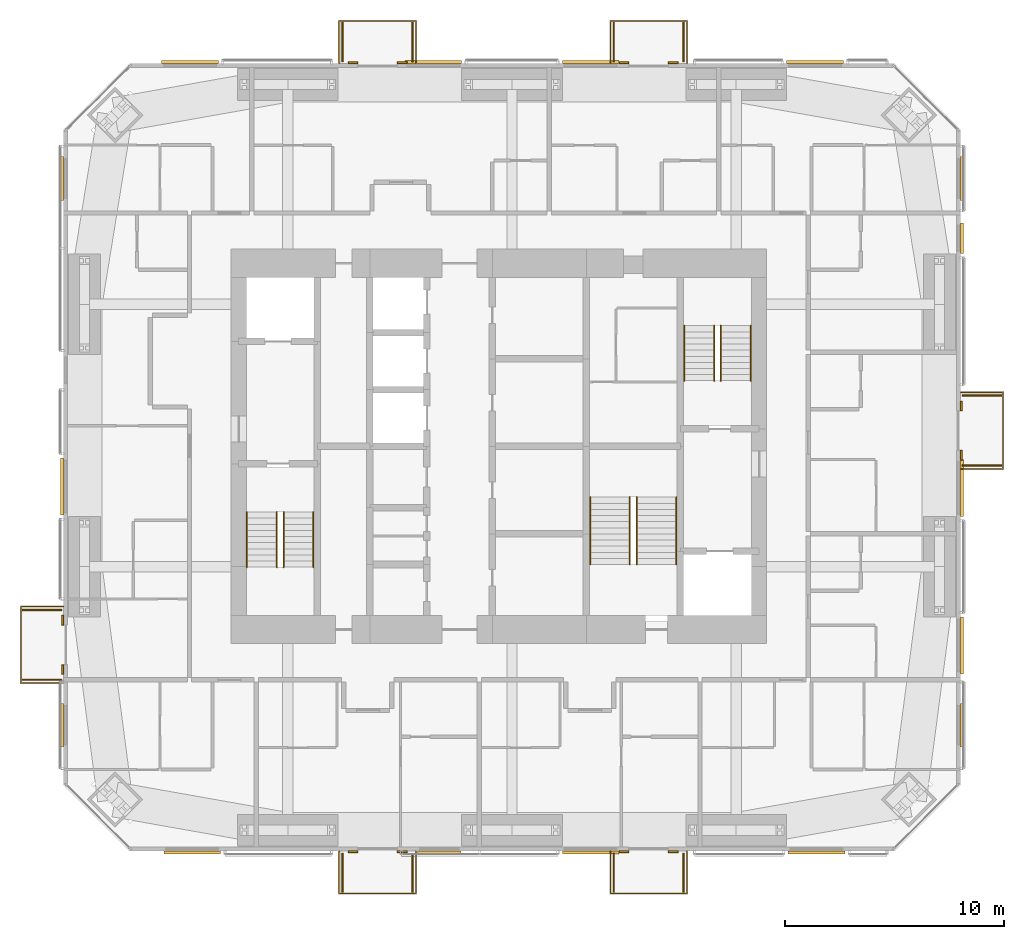
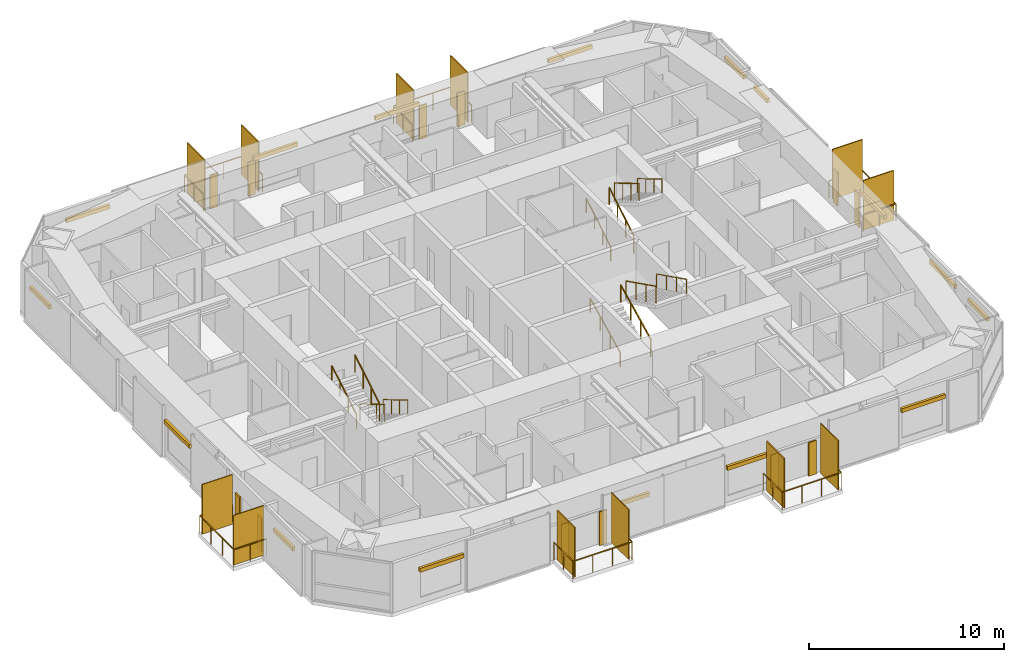
# One storey, part 23 of 23: 40 shading devices, 18 railings.
"""IFC4 building model written with IfcOpenShell, lengths in metres."""

from ifc_helpers import new_model, si_unit, direction, frame, origin, origin_2d, place, context, subcontext, project, spatial, rectangle, circle, extrude, material, layer, layer_set, constituent, constituent_set, type_object, element, save


model = new_model("IFC4")

# Units and contexts
model_context = context("Model", 3, precision=1e-05, world=origin(), true_north=direction((0.0, 1.0)))
body_context = subcontext(model_context, "Body", "Model", "MODEL_VIEW")
ifc_project = project(units=[si_unit("LENGTHUNIT", "METRE"), si_unit("AREAUNIT", "SQUARE_METRE"), si_unit("VOLUMEUNIT", "CUBIC_METRE"), si_unit("PLANEANGLEUNIT", "RADIAN"), si_unit("MASSUNIT", "GRAM", prefix="KILO")], contexts=[model_context])

# Site, building, storey
site_placement = place(None, origin())
site = spatial("IfcSite", under=ifc_project, at=site_placement, CompositionType="ELEMENT")
building_placement = place(site_placement, origin())
building = spatial("IfcBuilding", under=site, at=building_placement, Name="Jalousie Tower", CompositionType="ELEMENT")
storey_placement = place(building_placement, frame((0.0, 0.0, 157.699951171875)))
storey = spatial("IfcBuildingStorey", under=building, at=storey_placement, Name="L42", CompositionType="ELEMENT", Elevation=157.699951171875)

# Shading devices
ifc_material_1 = material(Name="Aluminium impact-rated louvred storm shutter", Category="aluminium")
shading_device_type_1 = type_object("IfcShadingDeviceType", Name="BI-FOLD STORM SHUTTER 900x2100", PredefinedType="SHUTTER", material=ifc_material_1)
for number, where, z_axis, x_axis, name in (
    (1, (25.22509765625, -0.0400390625, 0.0), (0.0, 0.0, 1.0), (1.0, 0.0, 0.0), "Balcony storm shutter L42"),
    (2, (27.47509765625, -0.0400390625, 0.0), (0.0, 0.0, 1.0), (1.0, 0.0, 0.0), "Balcony storm shutter L42"),
    (3, (37.625, -0.0400390625, 0.0), (0.0, 0.0, 1.0), (1.0, 0.0, 0.0), "Balcony storm shutter L42"),
    (4, (39.875, -0.0400390625, 0.0), (0.0, 0.0, 1.0), (1.0, 0.0, 0.0), "Balcony storm shutter L42"),
    (5, (53.0400390625, 18.10009765625, 0.0), (0.0, 0.0, 1.0), (0.0, 1.0, 0.0), "Balcony storm shutter L42"),
    (6, (53.0400390625, 20.35009765625, 0.0), (0.0, 0.0, 1.0), (0.0, 1.0, 0.0), "Balcony storm shutter L42"),
    (7, (39.875, 36.0400390625, 0.0), (0.0, 0.0, 1.0), (-1.0, 0.0, 0.0), "Balcony storm shutter L42"),
    (8, (37.625, 36.0400390625, 0.0), (0.0, 0.0, 1.0), (-1.0, 0.0, 0.0), "Balcony storm shutter L42"),
    (9, (27.47509765625, 36.0400390625, 0.0), (0.0, 0.0, 1.0), (-1.0, 0.0, 0.0), "Balcony storm shutter L42"),
    (10, (25.22509765625, 36.0400390625, 0.0), (0.0, 0.0, 1.0), (-1.0, 0.0, 0.0), "Balcony storm shutter L42"),
    (11, (11.9599609375, 10.550048828125, 0.0), (0.0, 0.0, 1.0), (0.0, -1.0, 0.0), "Balcony storm shutter L42"),
    (12, (11.9599609375, 8.300048828125, 0.0), (0.0, 0.0, 1.0), (0.0, -1.0, 0.0), "Balcony storm shutter L42"),
):
    element("IfcShadingDevice", number, at=place(storey_placement, frame(where, z_axis=z_axis, x_axis=x_axis)), inside=storey, type_object=shading_device_type_1, Name=name, PredefinedType="SHUTTER", context=body_context, shape_type="SweptSolid", body=[
        extrude(rectangle(XDim=0.449951171875, YDim=0.080078125, at=origin_2d()), origin(), (0.0, 0.0, 1.0), 2.10009765625),
    ])

# Railings
ifc_material_2 = material(Name="Powder-coated aluminium fretwork", Category="aluminium")
railing_type_1 = type_object("IfcRailingType", Name="FRETWORK BALUSTRADE 1100", PredefinedType="BALUSTRADE", material=ifc_material_2)
for number, where, name in (
    (13, (24.60009765625, 0.0, 0.0), "Balcony fretwork balustrade L42"),
    (14, (37.0, 0.0, 0.0), "Balcony fretwork balustrade L42"),
):
    element("IfcRailing", number, at=place(storey_placement, frame(where)), inside=storey, type_object=railing_type_1, Name=name, PredefinedType="BALUSTRADE", context=body_context, shape_type="SweptSolid", body=[
        extrude(rectangle(XDim=0.048095703125, YDim=0.048095703125, at=origin_2d()), frame((0.0, 0.0, 1.076171875), z_axis=(0.0, -1.0, 0.0), x_axis=(1.0, 0.0, 0.0)), (0.0, 0.0, 1.0), 1.949951171875),
        extrude(rectangle(XDim=0.048095703125, YDim=0.048095703125, at=origin_2d()), frame((0.0, -1.949951171875, 1.076171875), z_axis=(1.0, 0.0, 0.0), x_axis=(0.0, 1.0, 0.0)), (0.0, 0.0, 1.0), 3.5),
        extrude(rectangle(XDim=0.048095703125, YDim=0.048095703125, at=origin_2d()), frame((3.5, -1.949951171875, 1.076171875), z_axis=(0.0, 1.0, 0.0), x_axis=(-1.0, 0.0, 0.0)), (0.0, 0.0, 1.0), 1.949951171875),
        extrude(circle(Radius=0.02099609375, at=origin_2d()), origin(), (0.0, 0.0, 1.0), 1.052001953125),
        extrude(circle(Radius=0.02099609375, at=origin_2d()), frame((0.0, -0.97509765625, 0.0)), (0.0, 0.0, 1.0), 1.052001953125),
        extrude(circle(Radius=0.02099609375, at=origin_2d()), frame((0.0, -1.949951171875, 0.0)), (0.0, 0.0, 1.0), 1.052001953125),
        extrude(circle(Radius=0.02099609375, at=origin_2d()), frame((1.166748046875, -1.949951171875, 0.0)), (0.0, 0.0, 1.0), 1.052001953125),
        extrude(circle(Radius=0.02099609375, at=origin_2d()), frame((2.333251953125, -1.949951171875, 0.0)), (0.0, 0.0, 1.0), 1.052001953125),
        extrude(circle(Radius=0.02099609375, at=origin_2d()), frame((3.5, -1.949951171875, 0.0)), (0.0, 0.0, 1.0), 1.052001953125),
        extrude(circle(Radius=0.02099609375, at=origin_2d()), frame((3.5, -0.97509765625, 0.0)), (0.0, 0.0, 1.0), 1.052001953125),
        extrude(circle(Radius=0.02099609375, at=origin_2d()), frame((3.5, 0.0, 0.0)), (0.0, 0.0, 1.0), 1.052001953125),
    ])
railing_1_placement = place(storey_placement, frame((53.0, 17.47509765625, 0.0)))
element("IfcRailing", 15, at=railing_1_placement, inside=storey, type_object=railing_type_1, Name="Balcony fretwork balustrade L42", PredefinedType="BALUSTRADE", context=body_context, shape_type="SweptSolid", body=[
    extrude(rectangle(XDim=0.048095703125, YDim=0.048095703125, at=origin_2d()), frame((0.0, 0.0, 1.076171875), z_axis=(1.0, 0.0, 0.0), x_axis=(0.0, 1.0, 0.0)), (0.0, 0.0, 1.0), 1.949951171875),
    extrude(rectangle(XDim=0.048095703125, YDim=0.048095703125, at=origin_2d()), frame((1.949951171875, 0.0, 1.076171875), z_axis=(0.0, 1.0, 0.0), x_axis=(-1.0, 0.0, 0.0)), (0.0, 0.0, 1.0), 3.5),
    extrude(rectangle(XDim=0.048095703125, YDim=0.048095703125, at=origin_2d()), frame((1.949951171875, 3.5, 1.076171875), z_axis=(-1.0, 0.0, 0.0), x_axis=(0.0, -1.0, 0.0)), (0.0, 0.0, 1.0), 1.949951171875),
    extrude(circle(Radius=0.02099609375, at=origin_2d()), origin(), (0.0, 0.0, 1.0), 1.052001953125),
    extrude(circle(Radius=0.02099609375, at=origin_2d()), frame((0.97509765625, 0.0, 0.0)), (0.0, 0.0, 1.0), 1.052001953125),
    extrude(circle(Radius=0.02099609375, at=origin_2d()), frame((1.949951171875, 0.0, 0.0)), (0.0, 0.0, 1.0), 1.052001953125),
    extrude(circle(Radius=0.02099609375, at=origin_2d()), frame((1.949951171875, 1.166748046875, 0.0)), (0.0, 0.0, 1.0), 1.052001953125),
    extrude(circle(Radius=0.02099609375, at=origin_2d()), frame((1.949951171875, 2.333251953125, 0.0)), (0.0, 0.0, 1.0), 1.052001953125),
    extrude(circle(Radius=0.02099609375, at=origin_2d()), frame((1.949951171875, 3.5, 0.0)), (0.0, 0.0, 1.0), 1.052001953125),
    extrude(circle(Radius=0.02099609375, at=origin_2d()), frame((0.97509765625, 3.5, 0.0)), (0.0, 0.0, 1.0), 1.052001953125),
    extrude(circle(Radius=0.02099609375, at=origin_2d()), frame((0.0, 3.5, 0.0)), (0.0, 0.0, 1.0), 1.052001953125),
])
for number, where, name in (
    (16, (40.5, 36.0, 0.0), "Balcony fretwork balustrade L42"),
    (17, (28.10009765625, 36.0, 0.0), "Balcony fretwork balustrade L42"),
):
    element("IfcRailing", number, at=place(storey_placement, frame(where)), inside=storey, type_object=railing_type_1, Name=name, PredefinedType="BALUSTRADE", context=body_context, shape_type="SweptSolid", body=[
        extrude(rectangle(XDim=0.048095703125, YDim=0.048095703125, at=origin_2d()), frame((0.0, 0.0, 1.076171875), z_axis=(0.0, 1.0, 0.0), x_axis=(-1.0, 0.0, 0.0)), (0.0, 0.0, 1.0), 1.949951171875),
        extrude(rectangle(XDim=0.048095703125, YDim=0.048095703125, at=origin_2d()), frame((0.0, 1.949951171875, 1.076171875), z_axis=(-1.0, 0.0, 0.0), x_axis=(0.0, -1.0, 0.0)), (0.0, 0.0, 1.0), 3.5),
        extrude(rectangle(XDim=0.048095703125, YDim=0.048095703125, at=origin_2d()), frame((-3.5, 1.949951171875, 1.076171875), z_axis=(0.0, -1.0, 0.0), x_axis=(1.0, 0.0, 0.0)), (0.0, 0.0, 1.0), 1.949951171875),
        extrude(circle(Radius=0.02099609375, at=origin_2d()), origin(), (0.0, 0.0, 1.0), 1.052001953125),
        extrude(circle(Radius=0.02099609375, at=origin_2d()), frame((0.0, 0.97509765625, 0.0)), (0.0, 0.0, 1.0), 1.052001953125),
        extrude(circle(Radius=0.02099609375, at=origin_2d()), frame((0.0, 1.949951171875, 0.0)), (0.0, 0.0, 1.0), 1.052001953125),
        extrude(circle(Radius=0.02099609375, at=origin_2d()), frame((-1.166748046875, 1.949951171875, 0.0)), (0.0, 0.0, 1.0), 1.052001953125),
        extrude(circle(Radius=0.02099609375, at=origin_2d()), frame((-2.333251953125, 1.949951171875, 0.0)), (0.0, 0.0, 1.0), 1.052001953125),
        extrude(circle(Radius=0.02099609375, at=origin_2d()), frame((-3.5, 1.949951171875, 0.0)), (0.0, 0.0, 1.0), 1.052001953125),
        extrude(circle(Radius=0.02099609375, at=origin_2d()), frame((-3.5, 0.97509765625, 0.0)), (0.0, 0.0, 1.0), 1.052001953125),
        extrude(circle(Radius=0.02099609375, at=origin_2d()), frame((-3.5, 0.0, 0.0)), (0.0, 0.0, 1.0), 1.052001953125),
    ])
railing_2_placement = place(storey_placement, frame((12.0, 11.175048828125, 0.0)))
element("IfcRailing", 18, at=railing_2_placement, inside=storey, type_object=railing_type_1, Name="Balcony fretwork balustrade L42", PredefinedType="BALUSTRADE", context=body_context, shape_type="SweptSolid", body=[
    extrude(rectangle(XDim=0.048095703125, YDim=0.048095703125, at=origin_2d()), frame((0.0, 0.0, 1.076171875), z_axis=(-1.0, 0.0, 0.0), x_axis=(0.0, -1.0, 0.0)), (0.0, 0.0, 1.0), 1.949951171875),
    extrude(rectangle(XDim=0.048095703125, YDim=0.048095703125, at=origin_2d()), frame((-1.949951171875, 0.0, 1.076171875), z_axis=(0.0, -1.0, 0.0), x_axis=(1.0, 0.0, 0.0)), (0.0, 0.0, 1.0), 3.5),
    extrude(rectangle(XDim=0.048095703125, YDim=0.048095703125, at=origin_2d()), frame((-1.949951171875, -3.5, 1.076171875), z_axis=(1.0, 0.0, 0.0), x_axis=(0.0, 1.0, 0.0)), (0.0, 0.0, 1.0), 1.949951171875),
    extrude(circle(Radius=0.02099609375, at=origin_2d()), origin(), (0.0, 0.0, 1.0), 1.052001953125),
    extrude(circle(Radius=0.02099609375, at=origin_2d()), frame((-0.97509765625, 0.0, 0.0)), (0.0, 0.0, 1.0), 1.052001953125),
    extrude(circle(Radius=0.02099609375, at=origin_2d()), frame((-1.949951171875, 0.0, 0.0)), (0.0, 0.0, 1.0), 1.052001953125),
    extrude(circle(Radius=0.02099609375, at=origin_2d()), frame((-1.949951171875, -1.166748046875, 0.0)), (0.0, 0.0, 1.0), 1.052001953125),
    extrude(circle(Radius=0.02099609375, at=origin_2d()), frame((-1.949951171875, -2.333251953125, 0.0)), (0.0, 0.0, 1.0), 1.052001953125),
    extrude(circle(Radius=0.02099609375, at=origin_2d()), frame((-1.949951171875, -3.5, 0.0)), (0.0, 0.0, 1.0), 1.052001953125),
    extrude(circle(Radius=0.02099609375, at=origin_2d()), frame((-0.97509765625, -3.5, 0.0)), (0.0, 0.0, 1.0), 1.052001953125),
    extrude(circle(Radius=0.02099609375, at=origin_2d()), frame((0.0, -3.5, 0.0)), (0.0, 0.0, 1.0), 1.052001953125),
])

# Shading devices
ifc_material_3 = material(Name="Powder-coated aluminium louvres", Category="aluminium")
ifc_layer = layer(ifc_material_3, 0.06005859375)
ifc_layer_set = layer_set([ifc_layer], Name="Powder-coated aluminium louvres")
shading_device_type_2 = type_object("IfcShadingDeviceType", Name="JALOUSIE LOUVRE SCREEN", PredefinedType="JALOUSIE", material=ifc_layer_set)
for number, where, z_axis, x_axis, name in (
    (19, (24.75, -1.0, 0.0), (0.0, 0.0, 1.0), (1.0, 0.0, 0.0), "Jalousie louvre screen L42"),
    (20, (27.949951171875, -1.0, 0.0), (0.0, 0.0, 1.0), (1.0, 0.0, 0.0), "Jalousie louvre screen L42"),
    (21, (37.14990234375, -1.0, 0.0), (0.0, 0.0, 1.0), (1.0, 0.0, 0.0), "Jalousie louvre screen L42"),
    (22, (40.35009765625, -1.0, 0.0), (0.0, 0.0, 1.0), (1.0, 0.0, 0.0), "Jalousie louvre screen L42"),
    (23, (54.0, 17.625, 0.0), (0.0, 0.0, 1.0), (0.0, 1.0, 0.0), "Jalousie louvre screen L42"),
    (24, (54.0, 20.824951171875, 0.0), (0.0, 0.0, 1.0), (0.0, 1.0, 0.0), "Jalousie louvre screen L42"),
    (25, (40.35009765625, 37.0, 0.0), (0.0, 0.0, 1.0), (-1.0, 0.0, 0.0), "Jalousie louvre screen L42"),
    (26, (37.14990234375, 37.0, 0.0), (0.0, 0.0, 1.0), (-1.0, 0.0, 0.0), "Jalousie louvre screen L42"),
    (27, (27.949951171875, 37.0, 0.0), (0.0, 0.0, 1.0), (-1.0, 0.0, 0.0), "Jalousie louvre screen L42"),
    (28, (24.75, 37.0, 0.0), (0.0, 0.0, 1.0), (-1.0, 0.0, 0.0), "Jalousie louvre screen L42"),
    (29, (11.0, 11.02490234375, 0.0), (0.0, 0.0, 1.0), (0.0, -1.0, 0.0), "Jalousie louvre screen L42"),
    (30, (11.0, 7.824951171875, 0.0), (0.0, 0.0, 1.0), (0.0, -1.0, 0.0), "Jalousie louvre screen L42"),
):
    element("IfcShadingDevice", number, at=place(storey_placement, frame(where, z_axis=z_axis, x_axis=x_axis)), inside=storey, type_object=shading_device_type_2, Name=name, PredefinedType="JALOUSIE", context=body_context, shape_type="SweptSolid", body=[
        extrude(rectangle(XDim=0.06005859375, YDim=1.800048828125, at=origin_2d()), origin(), (0.0, 0.0, 1.0), 3.110107421875),
    ])

# Railings
ifc_material_4 = material(Name="Steel ASTM A500 Grade C", Category="steel")
ifc_constituent_1 = constituent(ifc_material_4, Name="Body")
ifc_material_5 = material(Name="Hot-dip galvanised zinc coating")
ifc_constituent_2 = constituent(ifc_material_5, Name="Finish")
ifc_constituent_set_1 = constituent_set(constituents=[ifc_constituent_1, ifc_constituent_2])
railing_type_2 = type_object("IfcRailingType", Name="STAIR GUARD 1100", PredefinedType="GUARDRAIL", material=ifc_constituent_set_1)
railing_3_placement = place(storey_placement, frame((22.054931640625, 15.49755859375, 0.16748046875)))
element("IfcRailing", 31, at=railing_3_placement, inside=storey, type_object=railing_type_2, Name="Exit stair A guard L42 flight 1", PredefinedType="GUARDRAIL", context=body_context, shape_type="SweptSolid", body=[
    extrude(rectangle(XDim=0.048095703125, YDim=0.048095703125, at=origin_2d()), frame((0.0, 0.0, 1.076171875), z_axis=(0.0, -0.858159760407, 0.513382728203), x_axis=(1.0, 0.0, 0.0)), (0.0, 0.0, 1.0), 2.9365234375),
    extrude(circle(Radius=0.02099609375, at=origin_2d()), origin(), (0.0, 0.0, 1.0), 1.052001953125),
    extrude(circle(Radius=0.02099609375, at=origin_2d()), frame((0.0, -0.840087890625, 0.50244140625)), (0.0, 0.0, 1.0), 1.052001953125),
    extrude(circle(Radius=0.02099609375, at=origin_2d()), frame((0.0, -1.679931640625, 1.005126953125)), (0.0, 0.0, 1.0), 1.052001953125),
    extrude(circle(Radius=0.02099609375, at=origin_2d()), frame((0.0, -2.52001953125, 1.507568359375)), (0.0, 0.0, 1.0), 1.052001953125),
])
for number, where, name in (
    (32, (21.7451171875, 12.9775390625, 1.842529296875), "Exit stair A guard L42 flight 2"),
    (33, (41.7451171875, 21.50244140625, 0.16748046875), "Exit stair B guard L42 flight 1"),
):
    element("IfcRailing", number, at=place(storey_placement, frame(where)), inside=storey, type_object=railing_type_2, Name=name, PredefinedType="GUARDRAIL", context=body_context, shape_type="SweptSolid", body=[
        extrude(rectangle(XDim=0.048095703125, YDim=0.048095703125, at=origin_2d()), frame((0.0, 0.0, 1.076171875), z_axis=(0.0, 0.858159760407, 0.513382728203), x_axis=(-1.0, 0.0, 0.0)), (0.0, 0.0, 1.0), 2.9365234375),
        extrude(circle(Radius=0.02099609375, at=origin_2d()), origin(), (0.0, 0.0, 1.0), 1.052001953125),
        extrude(circle(Radius=0.02099609375, at=origin_2d()), frame((0.0, 0.840087890625, 0.50244140625)), (0.0, 0.0, 1.0), 1.052001953125),
        extrude(circle(Radius=0.02099609375, at=origin_2d()), frame((0.0, 1.679931640625, 1.005126953125)), (0.0, 0.0, 1.0), 1.052001953125),
        extrude(circle(Radius=0.02099609375, at=origin_2d()), frame((0.0, 2.52001953125, 1.507568359375)), (0.0, 0.0, 1.0), 1.052001953125),
    ])
railing_4_placement = place(storey_placement, frame((42.054931640625, 24.0224609375, 1.842529296875)))
element("IfcRailing", 34, at=railing_4_placement, inside=storey, type_object=railing_type_2, Name="Exit stair B guard L42 flight 2", PredefinedType="GUARDRAIL", context=body_context, shape_type="SweptSolid", body=[
    extrude(rectangle(XDim=0.048095703125, YDim=0.048095703125, at=origin_2d()), frame((0.0, 0.0, 1.076171875), z_axis=(0.0, -0.858159760407, 0.513382728203), x_axis=(1.0, 0.0, 0.0)), (0.0, 0.0, 1.0), 2.9365234375),
    extrude(circle(Radius=0.02099609375, at=origin_2d()), origin(), (0.0, 0.0, 1.0), 1.052001953125),
    extrude(circle(Radius=0.02099609375, at=origin_2d()), frame((0.0, -0.840087890625, 0.50244140625)), (0.0, 0.0, 1.0), 1.052001953125),
    extrude(circle(Radius=0.02099609375, at=origin_2d()), frame((0.0, -1.679931640625, 1.005126953125)), (0.0, 0.0, 1.0), 1.052001953125),
    extrude(circle(Radius=0.02099609375, at=origin_2d()), frame((0.0, -2.52001953125, 1.507568359375)), (0.0, 0.0, 1.0), 1.052001953125),
])
railing_5_placement = place(storey_placement, frame((37.89501953125, 13.097412109375, 0.1396484375)))
element("IfcRailing", 35, at=railing_5_placement, inside=storey, type_object=railing_type_2, Name="Exit stair C guard L42 flight 1", PredefinedType="GUARDRAIL", context=body_context, shape_type="SweptSolid", body=[
    extrude(rectangle(XDim=0.048095703125, YDim=0.048095703125, at=origin_2d()), frame((0.0, 0.0, 1.076171875), z_axis=(0.0, 0.894965676997, 0.446134998624), x_axis=(-1.0, 0.0, 0.0)), (0.0, 0.0, 1.0), 3.441650390625),
    extrude(circle(Radius=0.02099609375, at=origin_2d()), origin(), (0.0, 0.0, 1.0), 1.052001953125),
    extrude(circle(Radius=0.02099609375, at=origin_2d()), frame((0.0, 1.026611328125, 0.51171875)), (0.0, 0.0, 1.0), 1.052001953125),
    extrude(circle(Radius=0.02099609375, at=origin_2d()), frame((0.0, 2.053466796875, 1.023681640625)), (0.0, 0.0, 1.0), 1.052001953125),
    extrude(circle(Radius=0.02099609375, at=origin_2d()), frame((0.0, 3.080078125, 1.535400390625)), (0.0, 0.0, 1.0), 1.052001953125),
])
railing_6_placement = place(storey_placement, frame((38.205078125, 16.177490234375, 1.814697265625)))
element("IfcRailing", 36, at=railing_6_placement, inside=storey, type_object=railing_type_2, Name="Exit stair C guard L42 flight 2", PredefinedType="GUARDRAIL", context=body_context, shape_type="SweptSolid", body=[
    extrude(rectangle(XDim=0.048095703125, YDim=0.048095703125, at=origin_2d()), frame((0.0, 0.0, 1.076171875), z_axis=(0.0, -0.894965676997, 0.446134998624), x_axis=(1.0, 0.0, 0.0)), (0.0, 0.0, 1.0), 3.441650390625),
    extrude(circle(Radius=0.02099609375, at=origin_2d()), origin(), (0.0, 0.0, 1.0), 1.052001953125),
    extrude(circle(Radius=0.02099609375, at=origin_2d()), frame((0.0, -1.026611328125, 0.51171875)), (0.0, 0.0, 1.0), 1.052001953125),
    extrude(circle(Radius=0.02099609375, at=origin_2d()), frame((0.0, -2.053466796875, 1.023681640625)), (0.0, 0.0, 1.0), 1.052001953125),
    extrude(circle(Radius=0.02099609375, at=origin_2d()), frame((0.0, -3.080078125, 1.535400390625)), (0.0, 0.0, 1.0), 1.052001953125),
])
ifc_material_6 = material(Name="Steel ASTM A500 Grade C", Category="steel")
ifc_constituent_3 = constituent(ifc_material_6, Name="Body")
ifc_material_7 = material(Name="Hot-dip galvanised zinc coating")
ifc_constituent_4 = constituent(ifc_material_7, Name="Finish")
ifc_constituent_set_2 = constituent_set(constituents=[ifc_constituent_3, ifc_constituent_4])
railing_type_3 = type_object("IfcRailingType", Name="STAIR HANDRAIL 900", PredefinedType="HANDRAIL", material=ifc_constituent_set_2)
railing_7_placement = place(storey_placement, frame((23.419921875, 15.49755859375, 0.16748046875)))
element("IfcRailing", 37, at=railing_7_placement, inside=storey, type_object=railing_type_3, Name="Exit stair A handrail L42 flight 1", PredefinedType="HANDRAIL", context=body_context, shape_type="SweptSolid", body=[
    extrude(circle(Radius=0.02392578125, at=origin_2d()), frame((0.0, 0.0, 0.8759765625), z_axis=(0.0, -0.858159760407, 0.513382728203), x_axis=(1.0, 0.0, 0.0)), (0.0, 0.0, 1.0), 2.9365234375),
    extrude(circle(Radius=0.02099609375, at=origin_2d()), origin(), (0.0, 0.0, 1.0), 0.851806640625),
    extrude(circle(Radius=0.02099609375, at=origin_2d()), frame((0.0, -0.840087890625, 0.50244140625)), (0.0, 0.0, 1.0), 0.851806640625),
    extrude(circle(Radius=0.02099609375, at=origin_2d()), frame((0.0, -1.679931640625, 1.005126953125)), (0.0, 0.0, 1.0), 0.851806640625),
    extrude(circle(Radius=0.02099609375, at=origin_2d()), frame((0.0, -2.52001953125, 1.507568359375)), (0.0, 0.0, 1.0), 0.851806640625),
])
for number, where, name in (
    (38, (20.3798828125, 12.9775390625, 1.842529296875), "Exit stair A handrail L42 flight 2"),
    (39, (40.3798828125, 21.50244140625, 0.16748046875), "Exit stair B handrail L42 flight 1"),
):
    element("IfcRailing", number, at=place(storey_placement, frame(where)), inside=storey, type_object=railing_type_3, Name=name, PredefinedType="HANDRAIL", context=body_context, shape_type="SweptSolid", body=[
        extrude(circle(Radius=0.02392578125, at=origin_2d()), frame((0.0, 0.0, 0.8759765625), z_axis=(0.0, 0.858159760407, 0.513382728203), x_axis=(-1.0, 0.0, 0.0)), (0.0, 0.0, 1.0), 2.9365234375),
        extrude(circle(Radius=0.02099609375, at=origin_2d()), origin(), (0.0, 0.0, 1.0), 0.851806640625),
        extrude(circle(Radius=0.02099609375, at=origin_2d()), frame((0.0, 0.840087890625, 0.50244140625)), (0.0, 0.0, 1.0), 0.851806640625),
        extrude(circle(Radius=0.02099609375, at=origin_2d()), frame((0.0, 1.679931640625, 1.005126953125)), (0.0, 0.0, 1.0), 0.851806640625),
        extrude(circle(Radius=0.02099609375, at=origin_2d()), frame((0.0, 2.52001953125, 1.507568359375)), (0.0, 0.0, 1.0), 0.851806640625),
    ])
railing_8_placement = place(storey_placement, frame((43.419921875, 24.0224609375, 1.842529296875)))
element("IfcRailing", 40, at=railing_8_placement, inside=storey, type_object=railing_type_3, Name="Exit stair B handrail L42 flight 2", PredefinedType="HANDRAIL", context=body_context, shape_type="SweptSolid", body=[
    extrude(circle(Radius=0.02392578125, at=origin_2d()), frame((0.0, 0.0, 0.8759765625), z_axis=(0.0, -0.858159760407, 0.513382728203), x_axis=(1.0, 0.0, 0.0)), (0.0, 0.0, 1.0), 2.9365234375),
    extrude(circle(Radius=0.02099609375, at=origin_2d()), origin(), (0.0, 0.0, 1.0), 0.851806640625),
    extrude(circle(Radius=0.02099609375, at=origin_2d()), frame((0.0, -0.840087890625, 0.50244140625)), (0.0, 0.0, 1.0), 0.851806640625),
    extrude(circle(Radius=0.02099609375, at=origin_2d()), frame((0.0, -1.679931640625, 1.005126953125)), (0.0, 0.0, 1.0), 0.851806640625),
    extrude(circle(Radius=0.02099609375, at=origin_2d()), frame((0.0, -2.52001953125, 1.507568359375)), (0.0, 0.0, 1.0), 0.851806640625),
])
railing_9_placement = place(storey_placement, frame((36.080078125, 13.097412109375, 0.1396484375)))
element("IfcRailing", 41, at=railing_9_placement, inside=storey, type_object=railing_type_3, Name="Exit stair C handrail L42 flight 1", PredefinedType="HANDRAIL", context=body_context, shape_type="SweptSolid", body=[
    extrude(circle(Radius=0.02392578125, at=origin_2d()), frame((0.0, 0.0, 0.8759765625), z_axis=(0.0, 0.894965676997, 0.446134998624), x_axis=(-1.0, 0.0, 0.0)), (0.0, 0.0, 1.0), 3.441650390625),
    extrude(circle(Radius=0.02099609375, at=origin_2d()), origin(), (0.0, 0.0, 1.0), 0.851806640625),
    extrude(circle(Radius=0.02099609375, at=origin_2d()), frame((0.0, 1.026611328125, 0.51171875)), (0.0, 0.0, 1.0), 0.851806640625),
    extrude(circle(Radius=0.02099609375, at=origin_2d()), frame((0.0, 2.053466796875, 1.023681640625)), (0.0, 0.0, 1.0), 0.851806640625),
    extrude(circle(Radius=0.02099609375, at=origin_2d()), frame((0.0, 3.080078125, 1.535400390625)), (0.0, 0.0, 1.0), 0.851806640625),
])
railing_10_placement = place(storey_placement, frame((40.02001953125, 16.177490234375, 1.814697265625)))
element("IfcRailing", 42, at=railing_10_placement, inside=storey, type_object=railing_type_3, Name="Exit stair C handrail L42 flight 2", PredefinedType="HANDRAIL", context=body_context, shape_type="SweptSolid", body=[
    extrude(circle(Radius=0.02392578125, at=origin_2d()), frame((0.0, 0.0, 0.8759765625), z_axis=(0.0, -0.894965676997, 0.446134998624), x_axis=(1.0, 0.0, 0.0)), (0.0, 0.0, 1.0), 3.441650390625),
    extrude(circle(Radius=0.02099609375, at=origin_2d()), origin(), (0.0, 0.0, 1.0), 0.851806640625),
    extrude(circle(Radius=0.02099609375, at=origin_2d()), frame((0.0, -1.026611328125, 0.51171875)), (0.0, 0.0, 1.0), 0.851806640625),
    extrude(circle(Radius=0.02099609375, at=origin_2d()), frame((0.0, -2.053466796875, 1.023681640625)), (0.0, 0.0, 1.0), 0.851806640625),
    extrude(circle(Radius=0.02099609375, at=origin_2d()), frame((0.0, -3.080078125, 1.535400390625)), (0.0, 0.0, 1.0), 0.851806640625),
])

# Shading devices
ifc_material_8 = material(Name="Aluminium roller storm shutter", Category="aluminium")
shading_device_type_3 = type_object("IfcShadingDeviceType", Name="STORM SHUTTER HOUSING", PredefinedType="SHUTTER", material=ifc_material_8)
shading_device_1_placement = place(storey_placement, frame((17.87548828125, -0.074951171875, 2.10009765625), z_axis=(0.0, 0.0, 1.0), x_axis=(1.0, 0.0, 0.0)))
element("IfcShadingDevice", 43, at=shading_device_1_placement, inside=storey, type_object=shading_device_type_3, Name="Storm shutter L42", PredefinedType="SHUTTER", context=body_context, shape_type="SweptSolid", body=[
    extrude(rectangle(XDim=2.60009765625, YDim=0.14990234375, at=origin_2d()), origin(), (0.0, 0.0, 1.0), 0.25),
])
shading_device_2_placement = place(storey_placement, frame((29.175048828125, -0.074951171875, 2.10009765625), z_axis=(0.0, 0.0, 1.0), x_axis=(1.0, 0.0, 0.0)))
element("IfcShadingDevice", 44, at=shading_device_2_placement, inside=storey, type_object=shading_device_type_3, Name="Storm shutter L42", PredefinedType="SHUTTER", context=body_context, shape_type="SweptSolid", body=[
    extrude(rectangle(XDim=2.0, YDim=0.14990234375, at=origin_2d()), origin(), (0.0, 0.0, 1.0), 0.25),
])
for number, where, z_axis, x_axis, name in (
    (45, (36.10009765625, -0.074951171875, 2.10009765625), (0.0, 0.0, 1.0), (1.0, 0.0, 0.0), "Storm shutter L42"),
    (46, (46.421630859375, -0.074951171875, 2.10009765625), (0.0, 0.0, 1.0), (1.0, 0.0, 0.0), "Storm shutter L42"),
):
    element("IfcShadingDevice", number, at=place(storey_placement, frame(where, z_axis=z_axis, x_axis=x_axis)), inside=storey, type_object=shading_device_type_3, Name=name, PredefinedType="SHUTTER", context=body_context, shape_type="SweptSolid", body=[
        extrude(rectangle(XDim=2.60009765625, YDim=0.14990234375, at=origin_2d()), origin(), (0.0, 0.0, 1.0), 0.25),
    ])
shading_device_3_placement = place(storey_placement, frame((53.074951171875, 5.748046875, 2.10009765625), z_axis=(0.0, 0.0, 1.0), x_axis=(0.0, 1.0, 0.0)))
element("IfcShadingDevice", 47, at=shading_device_3_placement, inside=storey, type_object=shading_device_type_3, Name="Storm shutter L42", PredefinedType="SHUTTER", context=body_context, shape_type="SweptSolid", body=[
    extrude(rectangle(XDim=2.0, YDim=0.14990234375, at=origin_2d()), origin(), (0.0, 0.0, 1.0), 0.25),
])
for number, where, z_axis, x_axis, name in (
    (48, (53.074951171875, 9.39990234375, 2.10009765625), (0.0, 0.0, 1.0), (0.0, 1.0, 0.0), "Storm shutter L42"),
    (49, (53.074951171875, 16.60009765625, 2.10009765625), (0.0, 0.0, 1.0), (0.0, 1.0, 0.0), "Storm shutter L42"),
):
    element("IfcShadingDevice", number, at=place(storey_placement, frame(where, z_axis=z_axis, x_axis=x_axis)), inside=storey, type_object=shading_device_type_3, Name=name, PredefinedType="SHUTTER", context=body_context, shape_type="SweptSolid", body=[
        extrude(rectangle(XDim=2.60009765625, YDim=0.14990234375, at=origin_2d()), origin(), (0.0, 0.0, 1.0), 0.25),
    ])
shading_device_4_placement = place(storey_placement, frame((53.074951171875, 28.0244140625, 2.10009765625), z_axis=(0.0, 0.0, 1.0), x_axis=(0.0, 1.0, 0.0)))
element("IfcShadingDevice", 50, at=shading_device_4_placement, inside=storey, type_object=shading_device_type_3, Name="Storm shutter L42", PredefinedType="SHUTTER", context=body_context, shape_type="SweptSolid", body=[
    extrude(rectangle(XDim=1.39990234375, YDim=0.14990234375, at=origin_2d()), origin(), (0.0, 0.0, 1.0), 0.25),
])
shading_device_5_placement = place(storey_placement, frame((53.074951171875, 30.751708984375, 2.10009765625), z_axis=(0.0, 0.0, 1.0), x_axis=(0.0, 1.0, 0.0)))
element("IfcShadingDevice", 51, at=shading_device_5_placement, inside=storey, type_object=shading_device_type_3, Name="Storm shutter L42", PredefinedType="SHUTTER", context=body_context, shape_type="SweptSolid", body=[
    extrude(rectangle(XDim=2.0, YDim=0.14990234375, at=origin_2d()), origin(), (0.0, 0.0, 1.0), 0.25),
])
for number, where, z_axis, x_axis, name in (
    (52, (46.359375, 36.074951171875, 2.10009765625), (0.0, 0.0, 1.0), (-1.0, 0.0, 0.0), "Storm shutter L42"),
    (53, (36.10009765625, 36.074951171875, 2.10009765625), (0.0, 0.0, 1.0), (-1.0, 0.0, 0.0), "Storm shutter L42"),
    (54, (28.89990234375, 36.074951171875, 2.10009765625), (0.0, 0.0, 1.0), (-1.0, 0.0, 0.0), "Storm shutter L42"),
    (55, (17.775634765625, 36.074951171875, 2.10009765625), (0.0, 0.0, 1.0), (-1.0, 0.0, 0.0), "Storm shutter L42"),
):
    element("IfcShadingDevice", number, at=place(storey_placement, frame(where, z_axis=z_axis, x_axis=x_axis)), inside=storey, type_object=shading_device_type_3, Name=name, PredefinedType="SHUTTER", context=body_context, shape_type="SweptSolid", body=[
        extrude(rectangle(XDim=2.60009765625, YDim=0.14990234375, at=origin_2d()), origin(), (0.0, 0.0, 1.0), 0.25),
    ])
shading_device_6_placement = place(storey_placement, frame((11.925048828125, 30.751953125, 2.10009765625), z_axis=(0.0, 0.0, 1.0), x_axis=(0.0, -1.0, 0.0)))
element("IfcShadingDevice", 56, at=shading_device_6_placement, inside=storey, type_object=shading_device_type_3, Name="Storm shutter L42", PredefinedType="SHUTTER", context=body_context, shape_type="SweptSolid", body=[
    extrude(rectangle(XDim=2.0, YDim=0.14990234375, at=origin_2d()), origin(), (0.0, 0.0, 1.0), 0.25),
])
shading_device_7_placement = place(storey_placement, frame((11.925048828125, 16.666015625, 2.10009765625), z_axis=(0.0, 0.0, 1.0), x_axis=(0.0, -1.0, 0.0)))
element("IfcShadingDevice", 57, at=shading_device_7_placement, inside=storey, type_object=shading_device_type_3, Name="Storm shutter L42", PredefinedType="SHUTTER", context=body_context, shape_type="SweptSolid", body=[
    extrude(rectangle(XDim=2.60009765625, YDim=0.14990234375, at=origin_2d()), origin(), (0.0, 0.0, 1.0), 0.25),
])
shading_device_8_placement = place(storey_placement, frame((11.925048828125, 5.748291015625, 2.10009765625), z_axis=(0.0, 0.0, 1.0), x_axis=(0.0, -1.0, 0.0)))
element("IfcShadingDevice", 58, at=shading_device_8_placement, inside=storey, type_object=shading_device_type_3, Name="Storm shutter L42", PredefinedType="SHUTTER", context=body_context, shape_type="SweptSolid", body=[
    extrude(rectangle(XDim=2.0, YDim=0.14990234375, at=origin_2d()), origin(), (0.0, 0.0, 1.0), 0.25),
])

save(model, "model.ifc")
